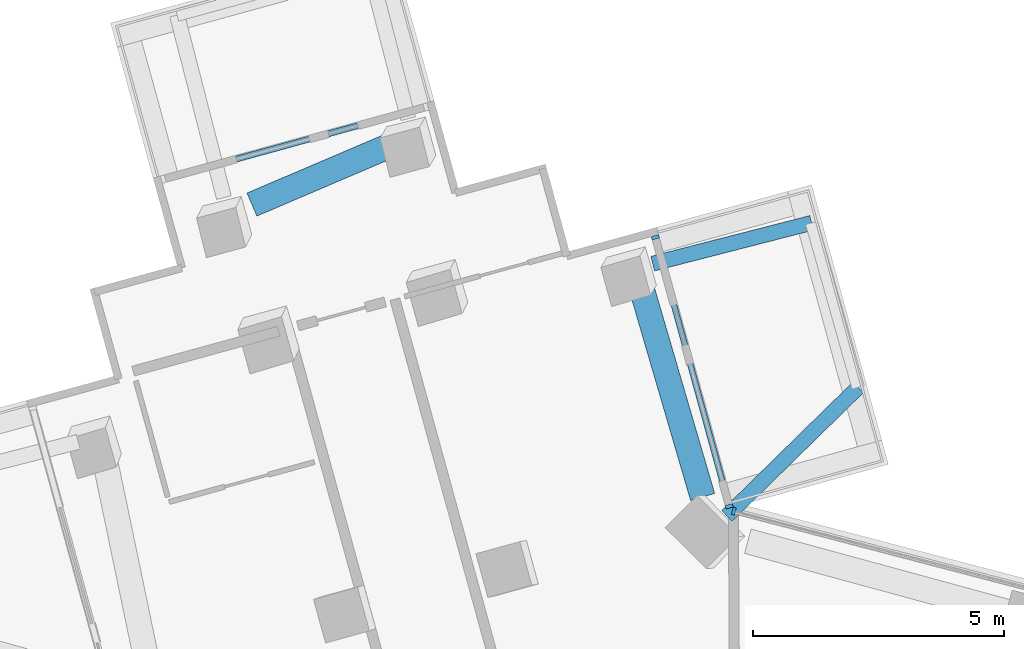
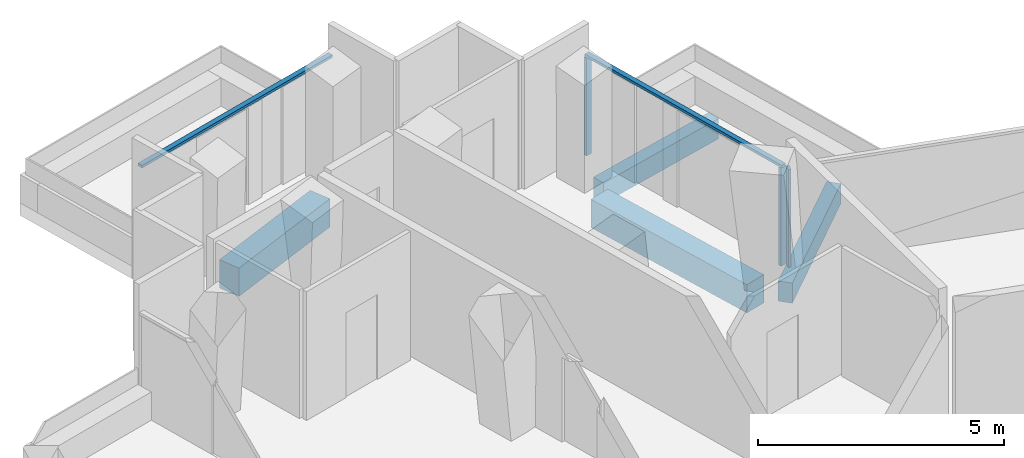
# One storey, part 8 of 26: 5 members, 4 beams, 3 elements without a shape of their own.
"""IFC4 building model written with IfcOpenShell, lengths in metres."""

from ifc_helpers import new_model, si_unit, direction, frame, origin, origin_2d, place, context, subcontext, project, spatial, rectangle, extrude, material, layer, layer_set, material_profile, profile_set, type_object, element, aggregate, save


model = new_model("IFC4")

# Units and contexts
model_context = context("Model", 3, precision=1e-05, world=origin(), true_north=direction((0.0, 1.0)))
body_context = subcontext(model_context, "Body", "Model", "MODEL_VIEW")
ifc_project = project(units=[si_unit("LENGTHUNIT", "METRE"), si_unit("AREAUNIT", "SQUARE_METRE"), si_unit("VOLUMEUNIT", "CUBIC_METRE"), si_unit("PLANEANGLEUNIT", "RADIAN"), si_unit("MASSUNIT", "GRAM", prefix="KILO")], contexts=[model_context])

# Site, building, storey
site_placement = place(None, origin())
site = spatial("IfcSite", under=ifc_project, at=site_placement, CompositionType="ELEMENT")
building_placement = place(site_placement, origin())
building = spatial("IfcBuilding", under=site, at=building_placement, Name="Verdalira Terraces Hotel", CompositionType="ELEMENT")
storey_placement = place(building_placement, frame((0.0, 0.0, 96.5)))
storey = spatial("IfcBuildingStorey", under=building, at=storey_placement, Name="L22", CompositionType="ELEMENT", Elevation=96.5)

# Beams
ifc_material_1 = material(Name="Concrete C40", Category="concrete")
ifc_material_profile_1 = material_profile(ifc_material_1, rectangle(XDim=0.300049, YDim=0.5, at=origin_2d()), Name="RC 300X500")
ifc_profile_set_1 = profile_set([ifc_material_profile_1], Name="Concrete C40")
beam_type_1 = type_object("IfcBeamType", Name="Balcony cantilever beam RC 300X500 C40", PredefinedType="BEAM", material=ifc_profile_set_1)
beam_1_placement = place(storey_placement, frame((-0.286621, 24.936035, -0.560059), z_axis=(0.714480521, 0.699655334, 0.0), x_axis=(-0.699655334, 0.714480521, 0.0)))
element("IfcBeam", 1, at=beam_1_placement, inside=storey, type_object=beam_type_1, Name="Balcony cantilever beam R00-1", PredefinedType="BEAM", context=body_context, shape_type="SweptSolid", body=[
    extrude(rectangle(XDim=0.300049, YDim=0.5, at=origin_2d()), origin(), (0.0, 0.0, 1.0), 3.656006),
])
beam_2_placement = place(storey_placement, frame((-1.763184, 29.955078, -0.560059), z_axis=(0.968584042, 0.248686457, 0.0), x_axis=(-0.248686457, 0.968584042, 0.0)))
element("IfcBeam", 2, at=beam_2_placement, inside=storey, type_object=beam_type_1, Name="Balcony cantilever beam R00-2", PredefinedType="BEAM", context=body_context, shape_type="SweptSolid", body=[
    extrude(rectangle(XDim=0.300049, YDim=0.5, at=origin_2d()), origin(), (0.0, 0.0, 1.0), 3.266113),
])

# Curtain wall, member
ifc_material_2 = material(Name="Clear glass", Category="glass")
ifc_layer_1 = layer(ifc_material_2, 0.14990234375)
ifc_layer_set_1 = layer_set([ifc_layer_1], Name="CW1 curtain wall")
curtain_wall_type_1 = type_object("IfcCurtainWallType", Name="CW1 curtain wall", PredefinedType="NOTDEFINED", material=ifc_layer_set_1)
curtain_wall_1_placement = place(storey_placement, origin())
curtain_wall_1 = element("IfcCurtainWall", 3, at=curtain_wall_1_placement, inside=storey, type_object=curtain_wall_type_1, Name="CW1 curtain wall L22 edge 41", PredefinedType="NOTDEFINED")
ifc_material_3 = material(Name="Terracotta frame", Category="masonry")
ifc_material_profile_2 = material_profile(ifc_material_3, rectangle(XDim=0.060059, YDim=0.149902, at=origin_2d()), Name="MU 60x150")
ifc_profile_set_2 = profile_set([ifc_material_profile_2], Name="Terracotta frame")
member_type_1 = type_object("IfcMemberType", Name="CW1 mullion 60x150", PredefinedType="MULLION", material=ifc_profile_set_2)
member_1_placement = place(storey_placement, frame((-0.147705, 25.033447, 0.0), z_axis=(0.0, 0.0, 1.0), x_axis=(-0.967532957, 0.252744885, 0.0)))
member_1 = element("IfcMember", 4, at=member_1_placement, type_object=member_type_1, Name="CW1 mullion", PredefinedType="MULLION", context=body_context, shape_type="SweptSolid", body=[
    extrude(rectangle(XDim=0.060059, YDim=0.149902, at=origin_2d()), origin(), (0.0, 0.0, 1.0), 2.425049),
])
aggregate(curtain_wall_1, [member_1])

# Curtain wall, members
ifc_material_4 = material(Name="Clear glass", Category="glass")
ifc_layer_2 = layer(ifc_material_4, 0.14990234375)
ifc_layer_set_2 = layer_set([ifc_layer_2], Name="CW2 curtain wall")
curtain_wall_type_2 = type_object("IfcCurtainWallType", Name="CW2 curtain wall", PredefinedType="NOTDEFINED", material=ifc_layer_set_2)
curtain_wall_2_placement = place(storey_placement, origin())
curtain_wall_2 = element("IfcCurtainWall", 5, at=curtain_wall_2_placement, inside=storey, type_object=curtain_wall_type_2, Name="CW2 curtain wall L22 edge 0", PredefinedType="NOTDEFINED")
ifc_material_5 = material(Name="Terracotta frame", Category="masonry")
ifc_material_profile_3 = material_profile(ifc_material_5, rectangle(XDim=0.070068, YDim=0.149902, at=origin_2d()), Name="MU 70x150")
ifc_profile_set_3 = profile_set([ifc_material_profile_3], Name="Terracotta frame")
member_type_2 = type_object("IfcMemberType", Name="CW2 mullion 70x150", PredefinedType="MULLION", material=ifc_profile_set_3)
member_2_placement = place(storey_placement, frame((-0.239502, 25.127441, 0.0), z_axis=(0.0, 0.0, 1.0), x_axis=(-0.264882987, 0.964280562, 0.0)))
member_2 = element("IfcMember", 6, at=member_2_placement, type_object=member_type_2, Name="CW2 mullion", PredefinedType="MULLION", context=body_context, shape_type="SweptSolid", body=[
    extrude(rectangle(XDim=0.070068, YDim=0.149902, at=origin_2d()), origin(), (0.0, 0.0, 1.0), 2.425049),
])
member_3_placement = place(storey_placement, frame((-1.709473, 30.479492, 0.0), z_axis=(0.0, 0.0, 1.0), x_axis=(-0.264882987, 0.964280562, 0.0)))
member_3 = element("IfcMember", 7, at=member_3_placement, type_object=member_type_2, Name="CW2 mullion", PredefinedType="MULLION", context=body_context, shape_type="SweptSolid", body=[
    extrude(rectangle(XDim=0.070068, YDim=0.149902, at=origin_2d()), origin(), (0.0, 0.0, 1.0), 2.425049),
])
ifc_material_6 = material(Name="Terracotta frame", Category="masonry")
ifc_material_profile_4 = material_profile(ifc_material_6, rectangle(XDim=0.11499, YDim=0.064941, at=origin_2d()), Name="TR 65x115")
ifc_profile_set_4 = profile_set([ifc_material_profile_4], Name="Terracotta frame")
member_type_3 = type_object("IfcMemberType", Name="CW2 transom 65x115", PredefinedType="USERDEFINED", material=ifc_profile_set_4)
member_4_placement = place(storey_placement, frame((-0.230225, 25.09375, 2.45752), z_axis=(-0.264844499, 0.964291134, 0.0), x_axis=(-0.964291134, -0.264844499, 0.0)))
member_4 = element("IfcMember", 8, at=member_4_placement, type_object=member_type_3, Name="CW2 transom", ObjectType="TRANSOM", PredefinedType="USERDEFINED", context=body_context, shape_type="SweptSolid", body=[
    extrude(rectangle(XDim=0.11499, YDim=0.064941, at=origin_2d()), origin(), (0.0, 0.0, 1.0), 5.620361),
])
aggregate(curtain_wall_2, [member_2, member_3, member_4])

# Curtain wall, member
ifc_material_7 = material(Name="Clear glass", Category="glass")
ifc_layer_3 = layer(ifc_material_7, 0.14990234375)
ifc_layer_set_3 = layer_set([ifc_layer_3], Name="CW3 curtain wall")
curtain_wall_type_3 = type_object("IfcCurtainWallType", Name="CW3 curtain wall", PredefinedType="NOTDEFINED", material=ifc_layer_set_3)
curtain_wall_3_placement = place(storey_placement, origin())
curtain_wall_3 = element("IfcCurtainWall", 9, at=curtain_wall_3_placement, inside=storey, type_object=curtain_wall_type_3, Name="CW3 curtain wall L22 edge 5", PredefinedType="NOTDEFINED")
ifc_material_8 = material(Name="Terracotta frame", Category="masonry")
ifc_material_profile_5 = material_profile(ifc_material_8, rectangle(XDim=0.120117, YDim=0.064941, at=origin_2d()), Name="TR 65x120")
ifc_profile_set_5 = profile_set([ifc_material_profile_5], Name="Terracotta frame")
member_type_4 = type_object("IfcMemberType", Name="CW3 transom 65x120", PredefinedType="USERDEFINED", material=ifc_profile_set_5)
member_5_placement = place(storey_placement, frame((-6.236084, 33.08374, 2.45752), z_axis=(-0.96427147, -0.264916086, 0.0), x_axis=(0.264916086, -0.96427147, 0.0)))
member_5 = element("IfcMember", 10, at=member_5_placement, type_object=member_type_4, Name="CW3 transom", ObjectType="TRANSOM", PredefinedType="USERDEFINED", context=body_context, shape_type="SweptSolid", body=[
    extrude(rectangle(XDim=0.120117, YDim=0.064941, at=origin_2d()), origin(), (0.0, 0.0, 1.0), 5.5),
])
aggregate(curtain_wall_3, [member_5])

# Beams
ifc_material_9 = material(Name="Concrete C70", Category="concrete")
ifc_material_profile_6 = material_profile(ifc_material_9, rectangle(XDim=0.5, YDim=0.699951, at=origin_2d()), Name="RC 500X700")
ifc_profile_set_6 = profile_set([ifc_material_profile_6], Name="Concrete C70")
beam_type_2 = type_object("IfcBeamType", Name="Spandrel beam RC 500X700 C70", PredefinedType="SPANDREL", material=ifc_profile_set_6)
beam_3_placement = place(storey_placement, frame((-0.768799, 25.312256, -0.659912), z_axis=(-0.280774774, 0.959773685, 0.0), x_axis=(-0.959773685, -0.280774774, 0.0)))
element("IfcBeam", 11, at=beam_3_placement, inside=storey, type_object=beam_type_2, Name="Spandrel beam B01", PredefinedType="SPANDREL", context=body_context, shape_type="SweptSolid", body=[
    extrude(rectangle(XDim=0.5, YDim=0.699951, at=origin_2d()), origin(), (0.0, 0.0, 1.0), 4.379883),
])
beam_4_placement = place(storey_placement, frame((-6.908691, 32.338867, -0.659912), z_axis=(-0.919767855, -0.392462856, 0.0), x_axis=(0.392462856, -0.919767855, 0.0)))
element("IfcBeam", 12, at=beam_4_placement, inside=storey, type_object=beam_type_2, Name="Spandrel beam B02", PredefinedType="SPANDREL", context=body_context, shape_type="SweptSolid", body=[
    extrude(rectangle(XDim=0.5, YDim=0.699951, at=origin_2d()), origin(), (0.0, 0.0, 1.0), 3.076172),
])

save(model, "model.ifc")
